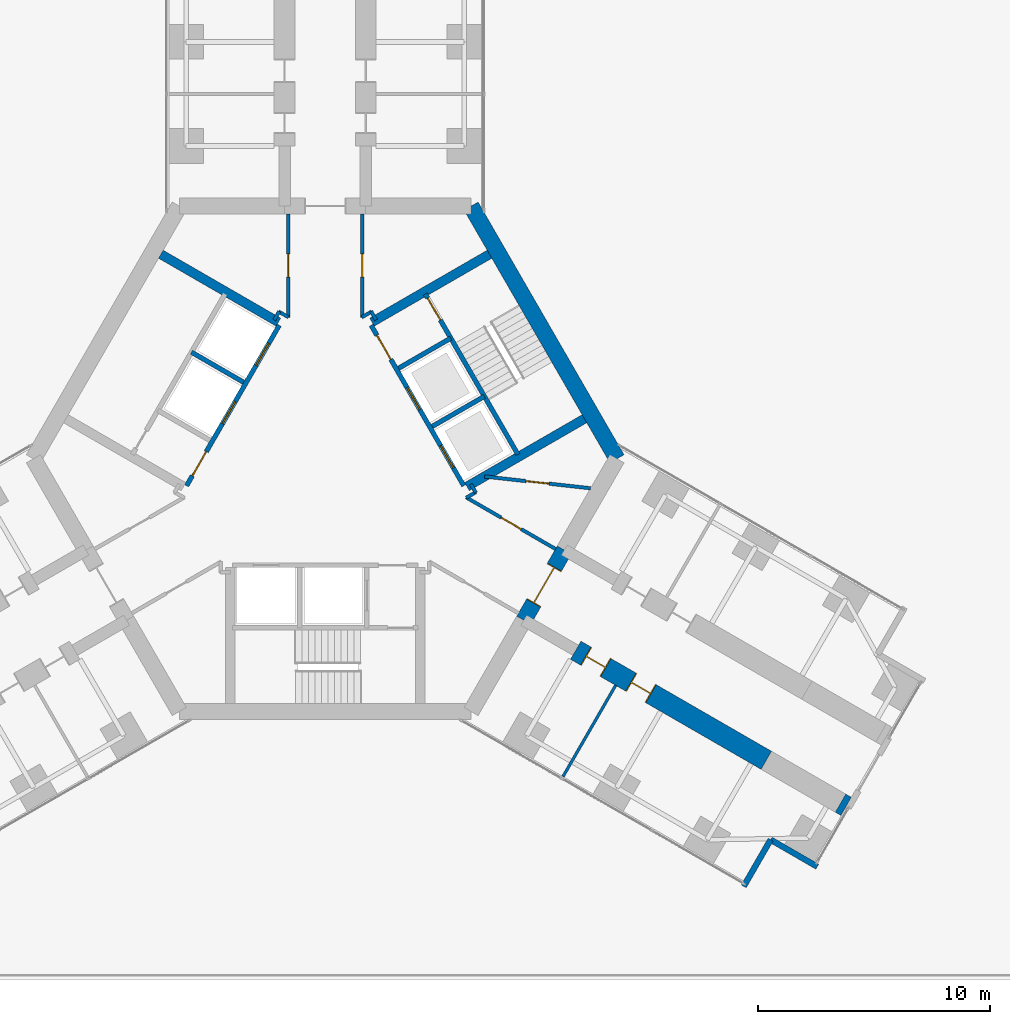
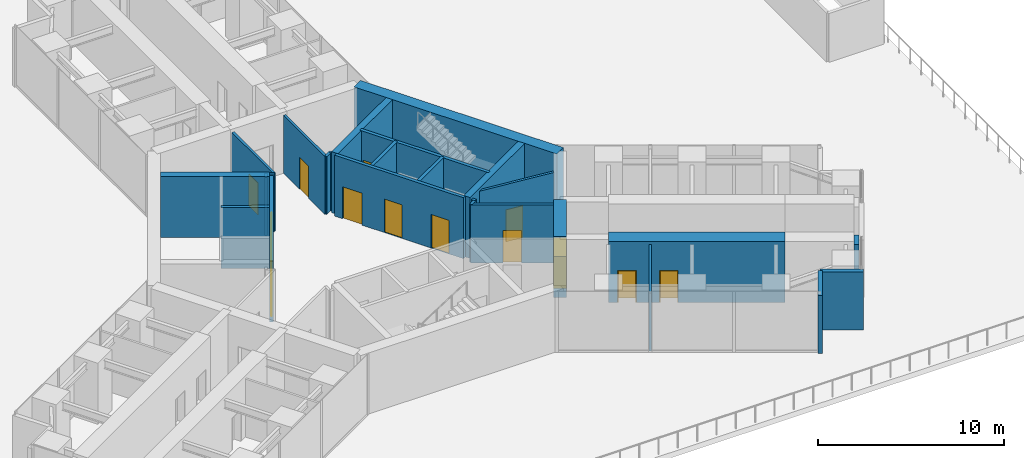
# One storey, part 17 of 23: 26 walls, 14 doors, 14 openings.
"""IFC4 building model written with IfcOpenShell, lengths in metres."""

from ifc_helpers import new_model, si_unit, direction, frame, frame_2d, origin, place, context, subcontext, project, spatial, rectangle, extrude, material, layer, layer_set, type_object, element, fill, save


model = new_model("IFC4")

# Units and contexts
model_context = context("Model", 3, precision=1e-05, world=origin(), true_north=direction((0.0, 1.0)))
body_context = subcontext(model_context, "Body", "Model", "MODEL_VIEW")
ifc_project = project(units=[si_unit("LENGTHUNIT", "METRE"), si_unit("AREAUNIT", "SQUARE_METRE"), si_unit("VOLUMEUNIT", "CUBIC_METRE"), si_unit("PLANEANGLEUNIT", "RADIAN"), si_unit("MASSUNIT", "GRAM", prefix="KILO")], contexts=[model_context])

# Site, building, storey
site_placement = place(None, origin())
site = spatial("IfcSite", under=ifc_project, at=site_placement, CompositionType="ELEMENT")
building_placement = place(site_placement, origin())
building = spatial("IfcBuilding", under=site, at=building_placement, Name="Upepo Twin Towers", CompositionType="ELEMENT")
storey_placement = place(building_placement, frame((0.0, 0.0, 20.5)))
storey = spatial("IfcBuildingStorey", under=building, at=storey_placement, Name="L04", CompositionType="ELEMENT", Elevation=20.5)

# Wall
ifc_material_1 = material(Name="Dense concrete blockwork", Category="masonry")
ifc_layer_1 = layer(ifc_material_1, 0.89990234375)
ifc_layer_set_1 = layer_set([ifc_layer_1], Name="Buttress closer 900, blockwork with fire-stopping to the curtain wall")
wall_type_1 = type_object("IfcWallType", Name="Buttress closer 900, blockwork with fire-stopping to the curtain wall", PredefinedType="PARTITIONING", material=ifc_layer_set_1)
wall_1_placement = place(storey_placement, frame((80.747802734375, -32.865478515625, 0.0), z_axis=(0.0, 0.0, 1.0), x_axis=(0.86621513555, -0.499671230855, 0.0)))
element("IfcWall", 1, at=wall_1_placement, inside=storey, type_object=wall_type_1, Name="T2 L04 wing C buttress closer R", PredefinedType="PARTITIONING", context=body_context, shape_type="SweptSolid", body=[
    extrude(rectangle(XDim=0.275146484375, YDim=0.89990234375, at=frame_2d((0.1376953125, 0.0))), origin(), (0.0, 0.0, 1.0), 3.800048828125),
])

# Wall, openings, doors
ifc_material_2 = material(Name="Concrete C60/75", Category="concrete")
ifc_layer_2 = layer(ifc_material_2, 0.89990234375)
ifc_layer_set_2 = layer_set([ifc_layer_2], Name="Concrete C60/75")
wall_type_2 = type_object("IfcWallType", Name="Buttress wall 900 RC", PredefinedType="SHEAR", material=ifc_layer_set_2)
wall_2_placement = place(storey_placement, frame((69.31640625, -26.265625, 0.0), z_axis=(0.0, 0.0, 1.0), x_axis=(0.86602681393, -0.499997557548, 0.0)))
wall_2 = element("IfcWall", 2, at=wall_2_placement, inside=storey, type_object=wall_type_2, Name="T2 wing C buttress wall R part 2", PredefinedType="SHEAR", context=body_context, shape_type="SweptSolid", body=[
    extrude(rectangle(XDim=9.5, YDim=0.89990234375, at=frame_2d((4.75, 0.0))), origin(), (0.0, 0.0, 1.0), 4.0),
])
opening_1_placement = place(wall_2_placement, frame((0.5, 0.0, 0.0)))
opening_1 = element("IfcOpeningElement", 3, at=opening_1_placement, cuts=wall_2, Name="Opening D15", PredefinedType="OPENING", context=body_context, shape_type="SweptSolid", body=[
    extrude(rectangle(XDim=1.0, YDim=2.10009765625, at=frame_2d((0.5, 1.050048828125))), frame((0.0, 0.4599609375, 0.0), z_axis=(0.0, -1.0, 0.0), x_axis=(1.0, 0.0, 0.0)), (0.0, 0.0, 1.0), 0.919921875),
])
opening_2_placement = place(wall_2_placement, frame((2.75, 0.0, 0.0)))
opening_2 = element("IfcOpeningElement", 4, at=opening_2_placement, cuts=wall_2, Name="Opening D15", PredefinedType="OPENING", context=body_context, shape_type="SweptSolid", body=[
    extrude(rectangle(XDim=1.0, YDim=2.10009765625, at=frame_2d((0.5, 1.050048828125))), frame((0.0, 0.4599609375, 0.0), z_axis=(0.0, -1.0, 0.0), x_axis=(1.0, 0.0, 0.0)), (0.0, 0.0, 1.0), 0.919921875),
])
ifc_material_3 = material(Name="Timber doorset", Category="wood")
door_type_1 = type_object("IfcDoorType", Name="Glazed door 1000 FD30", OperationType="SINGLE_SWING_LEFT", PredefinedType="DOOR", material=ifc_material_3)
door_1_placement = place(opening_1_placement, origin())
door_1 = element("IfcDoor", 5, at=door_1_placement, inside=storey, type_object=door_type_1, Name="T2 L04 seminar room door", OperationType="SINGLE_SWING_LEFT", OverallHeight=2.10009765625, OverallWidth=1.0, PredefinedType="DOOR", context=body_context, shape_type="SweptSolid", body=[
    extrude(rectangle(XDim=0.92, YDim=2.06009765625, at=frame_2d((0.5, 1.030029296875))), frame((0.0, 0.02490234375, 0.0), z_axis=(0.0, -1.0, 0.0), x_axis=(1.0, 0.0, 0.0)), (0.0, 0.0, 1.0), 0.050048828125),
    extrude(rectangle(XDim=0.04, YDim=2.10009765625, at=frame_2d((0.02001953125, 1.050048828125))), frame((0.0, 0.44970703125, 0.0), z_axis=(0.0, -1.0, 0.0), x_axis=(1.0, 0.0, 0.0)), (0.0, 0.0, 1.0), 0.8994140625),
    extrude(rectangle(XDim=0.04, YDim=2.10009765625, at=frame_2d((0.97998046875, 1.050048828125))), frame((0.0, 0.44970703125, 0.0), z_axis=(0.0, -1.0, 0.0), x_axis=(1.0, 0.0, 0.0)), (0.0, 0.0, 1.0), 0.8994140625),
    extrude(rectangle(XDim=0.92, YDim=0.04, at=frame_2d((0.5, 2.080078125))), frame((0.0, 0.44970703125, 0.0), z_axis=(0.0, -1.0, 0.0), x_axis=(1.0, 0.0, 0.0)), (0.0, 0.0, 1.0), 0.8994140625),
])
fill(opening_1, door_1)
door_2_placement = place(opening_2_placement, origin())
door_2 = element("IfcDoor", 6, at=door_2_placement, inside=storey, type_object=door_type_1, Name="T2 L04 student sky lounge door", OperationType="SINGLE_SWING_LEFT", OverallHeight=2.10009765625, OverallWidth=1.0, PredefinedType="DOOR", context=body_context, shape_type="SweptSolid", body=[
    extrude(rectangle(XDim=0.92, YDim=2.06009765625, at=frame_2d((0.5, 1.030029296875))), frame((0.0, 0.02490234375, 0.0), z_axis=(0.0, -1.0, 0.0), x_axis=(1.0, 0.0, 0.0)), (0.0, 0.0, 1.0), 0.050048828125),
    extrude(rectangle(XDim=0.04, YDim=2.10009765625, at=frame_2d((0.02001953125, 1.050048828125))), frame((0.0, 0.44970703125, 0.0), z_axis=(0.0, -1.0, 0.0), x_axis=(1.0, 0.0, 0.0)), (0.0, 0.0, 1.0), 0.8994140625),
    extrude(rectangle(XDim=0.04, YDim=2.10009765625, at=frame_2d((0.97998046875, 1.050048828125))), frame((0.0, 0.44970703125, 0.0), z_axis=(0.0, -1.0, 0.0), x_axis=(1.0, 0.0, 0.0)), (0.0, 0.0, 1.0), 0.8994140625),
    extrude(rectangle(XDim=0.92, YDim=0.04, at=frame_2d((0.5, 2.080078125))), frame((0.0, 0.44970703125, 0.0), z_axis=(0.0, -1.0, 0.0), x_axis=(1.0, 0.0, 0.0)), (0.0, 0.0, 1.0), 0.8994140625),
])
fill(opening_2, door_2)

# Wall, opening, door
ifc_material_4 = material(Name="Concrete C60/75", Category="concrete")
ifc_layer_3 = layer(ifc_material_4, 0.699951171875)
ifc_layer_set_3 = layer_set([ifc_layer_3], Name="Concrete C60/75")
wall_type_3 = type_object("IfcWallType", Name="Core wall 700 RC", PredefinedType="SHEAR", material=ifc_layer_set_3)
wall_3_placement = place(storey_placement, frame((67.07177734375, -24.9697265625, 0.0), z_axis=(0.0, 0.0, 1.0), x_axis=(0.500010275428, 0.866019471182, 0.0)))
wall_3 = element("IfcWall", 7, at=wall_3_placement, inside=storey, type_object=wall_type_3, Name="T2 core wall 240", PredefinedType="SHEAR", context=body_context, shape_type="SweptSolid", body=[
    extrude(rectangle(XDim=3.5, YDim=0.699951171875, at=frame_2d((1.75, 0.0))), origin(), (0.0, 0.0, 1.0), 4.0),
])
opening_3_placement = place(wall_3_placement, frame((0.85009765625, 0.0, 0.0)))
opening_3 = element("IfcOpeningElement", 8, at=opening_3_placement, cuts=wall_3, Name="Opening D2", PredefinedType="OPENING", context=body_context, shape_type="SweptSolid", body=[
    extrude(rectangle(XDim=1.800048828125, YDim=2.10009765625, at=frame_2d((0.89990234375, 1.050048828125))), frame((0.0, 0.35986328125, 0.0), z_axis=(0.0, -1.0, 0.0), x_axis=(1.0, 0.0, 0.0)), (0.0, 0.0, 1.0), 0.719970703125),
])
ifc_material_5 = material(Name="Timber doorset", Category="wood")
door_type_2 = type_object("IfcDoorType", Name="Corridor double door 1800 FD60", OperationType="DOUBLE_DOOR_DOUBLE_SWING", PredefinedType="DOOR", material=ifc_material_5)
door_3_placement = place(opening_3_placement, origin())
door_3 = element("IfcDoor", 9, at=door_3_placement, inside=storey, type_object=door_type_2, Name="T2 L04 wing C corridor door", OperationType="DOUBLE_DOOR_DOUBLE_SWING", OverallHeight=2.10009765625, OverallWidth=1.800048828125, PredefinedType="DOOR", context=body_context, shape_type="SweptSolid", body=[
    extrude(rectangle(XDim=1.720048828125, YDim=2.06009765625, at=frame_2d((0.89990234375, 1.030029296875))), frame((0.0, 0.02490234375, 0.0), z_axis=(0.0, -1.0, 0.0), x_axis=(1.0, 0.0, 0.0)), (0.0, 0.0, 1.0), 0.050048828125),
    extrude(rectangle(XDim=0.04, YDim=2.10009765625, at=frame_2d((0.02001953125, 1.050048828125))), frame((0.0, 0.349609375, 0.0), z_axis=(0.0, -1.0, 0.0), x_axis=(1.0, 0.0, 0.0)), (0.0, 0.0, 1.0), 0.699462890625),
    extrude(rectangle(XDim=0.04, YDim=2.10009765625, at=frame_2d((1.780029296875, 1.050048828125))), frame((0.0, 0.349609375, 0.0), z_axis=(0.0, -1.0, 0.0), x_axis=(1.0, 0.0, 0.0)), (0.0, 0.0, 1.0), 0.699462890625),
    extrude(rectangle(XDim=1.720048828125, YDim=0.04, at=frame_2d((0.89990234375, 2.080078125))), frame((0.0, 0.349609375, 0.0), z_axis=(0.0, -1.0, 0.0), x_axis=(1.0, 0.0, 0.0)), (0.0, 0.0, 1.0), 0.699462890625),
])
fill(opening_3, door_3)

# Walls
wall_4_placement = place(storey_placement, frame((71.095947265625, -18.0, 0.0), z_axis=(0.0, 0.0, 1.0), x_axis=(-0.500005998175, 0.866021940709, 0.0)))
element("IfcWall", 10, at=wall_4_placement, inside=storey, type_object=wall_type_3, Name="T2 core wall 300", PredefinedType="SHEAR", context=body_context, shape_type="SweptSolid", body=[
    extrude(rectangle(XDim=12.595947265625, YDim=0.699951171875, at=frame_2d((6.2978515625, 0.0))), origin(), (0.0, 0.0, 1.0), 4.0),
])
ifc_material_6 = material(Name="Laminated glass in an aluminium frame", Category="aluminium")
ifc_layer_4 = layer(ifc_material_6, 0.1201171875)
ifc_layer_set_4 = layer_set([ifc_layer_4], Name="Glazed partition 120, aluminium framed")
wall_type_4 = type_object("IfcWallType", Name="Glazed partition 120, aluminium framed", PredefinedType="PARTITIONING", material=ifc_layer_set_4)
wall_5_placement = place(storey_placement, frame((71.039794921875, -27.7802734375, 0.0), z_axis=(0.0, 0.0, 1.0), x_axis=(-0.499982560684, -0.866035472144, 0.0)))
element("IfcWall", 11, at=wall_5_placement, inside=storey, type_object=wall_type_4, Name="T2 partition CR at 15.75", PredefinedType="PARTITIONING", context=body_context, shape_type="SweptSolid", body=[
    extrude(rectangle(XDim=4.550048828125, YDim=0.1201171875, at=frame_2d((2.27490234375, 0.0))), origin(), (0.0, 0.0, 1.0), 3.800048828125),
])
ifc_material_7 = material(Name="Blockwork with anodised aluminium cladding", Category="masonry")
ifc_layer_5 = layer(ifc_material_7, 0.25)
ifc_layer_set_5 = layer_set([ifc_layer_5], Name="Notch cladding wall 250, pale metal")
wall_type_5 = type_object("IfcWallType", Name="Notch cladding wall 250, pale metal", PredefinedType="STANDARD", material=ifc_layer_set_5)
for number, where, z_axis, x_axis, name in (
    (12, (76.5673828125, -36.456298828125, 0.0), (0.0, 0.0, 1.0), (0.500046648681, 0.865998469481, 0.0), "T2 L04 wing C notch wall R1"),
    (13, (77.72998046875, -34.44287109375, 0.0), (0.0, 0.0, 1.0), (0.865998469481, -0.500046648681, 0.0), "T2 L04 wing C notch wall R2"),
):
    element("IfcWall", number, at=place(storey_placement, frame(where, z_axis=z_axis, x_axis=x_axis)), inside=storey, type_object=wall_type_5, Name=name, PredefinedType="STANDARD", context=body_context, shape_type="SweptSolid", body=[
        extrude(rectangle(XDim=2.324951171875, YDim=0.25, at=frame_2d((1.16259765625, 0.0))), origin(), (0.0, 0.0, 1.0), 3.800048828125),
    ])

# Wall, openings, doors
ifc_material_8 = material(Name="Concrete C40/50", Category="concrete")
ifc_layer_6 = layer(ifc_material_8, 0.199951171875)
ifc_layer_set_6 = layer_set([ifc_layer_6], Name="Concrete C40/50")
wall_type_6 = type_object("IfcWallType", Name="Shaft wall 200 RC", PredefinedType="SHEAR", material=ifc_layer_set_6)
wall_6_placement = place(storey_placement, frame((56.516357421875, -12.23583984375, 0.0), z_axis=(0.0, 0.0, 1.0), x_axis=(-0.49999894854, -0.866026010844, 0.0)))
wall_6 = element("IfcWall", 14, at=wall_6_placement, inside=storey, type_object=wall_type_6, Name="T2 core W60 front wall", PredefinedType="SHEAR", context=body_context, shape_type="SweptSolid", body=[
    extrude(rectangle(XDim=8.0, YDim=0.199951171875, at=frame_2d((4.0, 0.0))), origin(), (0.0, 0.0, 1.0), 4.0),
])
opening_4_placement = place(wall_6_placement, frame((6.300048828125, 0.0, 0.0)))
opening_4 = element("IfcOpeningElement", 15, at=opening_4_placement, cuts=wall_6, Name="Opening D4", PredefinedType="OPENING", context=body_context, shape_type="SweptSolid", body=[
    extrude(rectangle(XDim=1.199951171875, YDim=2.10009765625, at=frame_2d((0.60009765625, 1.050048828125))), frame((0.0, 0.10986328125, 0.0), z_axis=(0.0, -1.0, 0.0), x_axis=(1.0, 0.0, 0.0)), (0.0, 0.0, 1.0), 0.219970703125),
])
opening_5_placement = place(wall_6_placement, frame((0.89990234375, 0.0, 0.0)))
opening_5 = element("IfcOpeningElement", 16, at=opening_5_placement, cuts=wall_6, Name="Opening LD1", PredefinedType="OPENING", context=body_context, shape_type="SweptSolid", body=[
    extrude(rectangle(XDim=1.10009765625, YDim=2.199951171875, at=frame_2d((0.550048828125, 1.10009765625))), frame((0.0, 0.10986328125, 0.0), z_axis=(0.0, -1.0, 0.0), x_axis=(1.0, 0.0, 0.0)), (0.0, 0.0, 1.0), 0.219970703125),
])
opening_6_placement = place(wall_6_placement, frame((3.800048828125, 0.0, 0.0)))
opening_6 = element("IfcOpeningElement", 17, at=opening_6_placement, cuts=wall_6, Name="Opening LD1", PredefinedType="OPENING", context=body_context, shape_type="SweptSolid", body=[
    extrude(rectangle(XDim=1.10009765625, YDim=2.199951171875, at=frame_2d((0.550048828125, 1.10009765625))), frame((0.0, 0.10986328125, 0.0), z_axis=(0.0, -1.0, 0.0), x_axis=(1.0, 0.0, 0.0)), (0.0, 0.0, 1.0), 0.219970703125),
])
ifc_material_9 = material(Name="Steel doorset", Category="steel")
door_type_3 = type_object("IfcDoorType", Name="Lift landing door 1100", OperationType="DOUBLE_DOOR_SLIDING", PredefinedType="DOOR", material=ifc_material_9)
door_4_placement = place(opening_5_placement, origin())
door_4 = element("IfcDoor", 18, at=door_4_placement, inside=storey, type_object=door_type_3, Name="T2 L04 lift EX1 landing door", OperationType="DOUBLE_DOOR_SLIDING", OverallHeight=2.199951171875, OverallWidth=1.10009765625, PredefinedType="DOOR", context=body_context, shape_type="SweptSolid", body=[
    extrude(rectangle(XDim=1.10009765625, YDim=2.199951171875, at=frame_2d((0.550048828125, 1.10009765625))), frame((0.0, 0.02490234375, 0.0), z_axis=(0.0, -1.0, 0.0), x_axis=(1.0, 0.0, 0.0)), (0.0, 0.0, 1.0), 0.050048828125),
])
fill(opening_5, door_4)
door_5_placement = place(opening_6_placement, origin())
door_5 = element("IfcDoor", 19, at=door_5_placement, inside=storey, type_object=door_type_3, Name="T2 L04 lift EX2 landing door", OperationType="DOUBLE_DOOR_SLIDING", OverallHeight=2.199951171875, OverallWidth=1.10009765625, PredefinedType="DOOR", context=body_context, shape_type="SweptSolid", body=[
    extrude(rectangle(XDim=1.10009765625, YDim=2.199951171875, at=frame_2d((0.550048828125, 1.10009765625))), frame((0.0, 0.02490234375, 0.0), z_axis=(0.0, -1.0, 0.0), x_axis=(1.0, 0.0, 0.0)), (0.0, 0.0, 1.0), 0.050048828125),
])
fill(opening_6, door_5)
ifc_material_10 = material(Name="Timber doorset", Category="wood")
door_type_4 = type_object("IfcDoorType", Name="Lobby door 1200 FD60", OperationType="SINGLE_SWING_LEFT", PredefinedType="DOOR", material=ifc_material_10)
door_6_placement = place(opening_4_placement, origin())
door_6 = element("IfcDoor", 20, at=door_6_placement, inside=storey, type_object=door_type_4, Name="T2 L04 W60 lobby door", OperationType="SINGLE_SWING_RIGHT", OverallHeight=2.10009765625, OverallWidth=1.199951171875, PredefinedType="DOOR", context=body_context, shape_type="SweptSolid", body=[
    extrude(rectangle(XDim=1.199951171875, YDim=2.10009765625, at=frame_2d((0.60009765625, 1.050048828125))), frame((0.0, 0.02490234375, 0.0), z_axis=(0.0, -1.0, 0.0), x_axis=(1.0, 0.0, 0.0)), (0.0, 0.0, 1.0), 0.050048828125),
])
fill(opening_4, door_6)

# Wall
wall_7_placement = place(storey_placement, frame((54.979736328125, -14.697265625, 0.0), z_axis=(0.0, 0.0, 1.0), x_axis=(-0.866062058628, 0.499936506574, 0.0)))
element("IfcWall", 21, at=wall_7_placement, inside=storey, type_object=wall_type_6, Name="T2 core W60 shaft divider", PredefinedType="SHEAR", context=body_context, shape_type="SweptSolid", body=[
    extrude(rectangle(XDim=2.599853515625, YDim=0.199951171875, at=frame_2d((1.2998046875, 0.0))), origin(), (0.0, 0.0, 1.0), 4.0),
])

# Wall, openings, doors
wall_8_placement = place(storey_placement, frame((64.483642578125, -19.1640625, 0.0), z_axis=(0.0, 0.0, 1.0), x_axis=(-0.49999894854, 0.866026010844, 0.0)))
wall_8 = element("IfcWall", 22, at=wall_8_placement, inside=storey, type_object=wall_type_6, Name="T2 core W300 front wall", PredefinedType="SHEAR", context=body_context, shape_type="SweptSolid", body=[
    extrude(rectangle(XDim=8.0, YDim=0.199951171875, at=frame_2d((4.0, 0.0))), origin(), (0.0, 0.0, 1.0), 4.0),
])
opening_7_placement = place(wall_8_placement, frame((6.300048828125, 0.0, 0.0)))
opening_7 = element("IfcOpeningElement", 23, at=opening_7_placement, cuts=wall_8, Name="Opening D4", PredefinedType="OPENING", context=body_context, shape_type="SweptSolid", body=[
    extrude(rectangle(XDim=1.199951171875, YDim=2.10009765625, at=frame_2d((0.60009765625, 1.050048828125))), frame((0.0, 0.10986328125, 0.0), z_axis=(0.0, -1.0, 0.0), x_axis=(1.0, 0.0, 0.0)), (0.0, 0.0, 1.0), 0.219970703125),
])
opening_8_placement = place(wall_8_placement, frame((0.89990234375, 0.0, 0.0)))
opening_8 = element("IfcOpeningElement", 24, at=opening_8_placement, cuts=wall_8, Name="Opening LD1", PredefinedType="OPENING", context=body_context, shape_type="SweptSolid", body=[
    extrude(rectangle(XDim=1.10009765625, YDim=2.199951171875, at=frame_2d((0.550048828125, 1.10009765625))), frame((0.0, 0.10986328125, 0.0), z_axis=(0.0, -1.0, 0.0), x_axis=(1.0, 0.0, 0.0)), (0.0, 0.0, 1.0), 0.219970703125),
])
opening_9_placement = place(wall_8_placement, frame((3.800048828125, 0.0, 0.0)))
opening_9 = element("IfcOpeningElement", 25, at=opening_9_placement, cuts=wall_8, Name="Opening LD1", PredefinedType="OPENING", context=body_context, shape_type="SweptSolid", body=[
    extrude(rectangle(XDim=1.10009765625, YDim=2.199951171875, at=frame_2d((0.550048828125, 1.10009765625))), frame((0.0, 0.10986328125, 0.0), z_axis=(0.0, -1.0, 0.0), x_axis=(1.0, 0.0, 0.0)), (0.0, 0.0, 1.0), 0.219970703125),
])
door_7_placement = place(opening_8_placement, origin())
door_7 = element("IfcDoor", 26, at=door_7_placement, inside=storey, type_object=door_type_3, Name="T2 L04 lift LL1 landing door", OperationType="DOUBLE_DOOR_SLIDING", OverallHeight=2.199951171875, OverallWidth=1.10009765625, PredefinedType="DOOR", context=body_context, shape_type="SweptSolid", body=[
    extrude(rectangle(XDim=1.10009765625, YDim=2.199951171875, at=frame_2d((0.550048828125, 1.10009765625))), frame((0.0, 0.02490234375, 0.0), z_axis=(0.0, -1.0, 0.0), x_axis=(1.0, 0.0, 0.0)), (0.0, 0.0, 1.0), 0.050048828125),
])
fill(opening_8, door_7)
door_8_placement = place(opening_9_placement, origin())
door_8 = element("IfcDoor", 27, at=door_8_placement, inside=storey, type_object=door_type_3, Name="T2 L04 lift LL2 landing door", OperationType="DOUBLE_DOOR_SLIDING", OverallHeight=2.199951171875, OverallWidth=1.10009765625, PredefinedType="DOOR", context=body_context, shape_type="SweptSolid", body=[
    extrude(rectangle(XDim=1.10009765625, YDim=2.199951171875, at=frame_2d((0.550048828125, 1.10009765625))), frame((0.0, 0.02490234375, 0.0), z_axis=(0.0, -1.0, 0.0), x_axis=(1.0, 0.0, 0.0)), (0.0, 0.0, 1.0), 0.050048828125),
])
fill(opening_9, door_8)
door_9_placement = place(opening_7_placement, origin())
door_9 = element("IfcDoor", 28, at=door_9_placement, inside=storey, type_object=door_type_4, Name="T2 L04 W300 lobby door", OperationType="SINGLE_SWING_RIGHT", OverallHeight=2.10009765625, OverallWidth=1.199951171875, PredefinedType="DOOR", context=body_context, shape_type="SweptSolid", body=[
    extrude(rectangle(XDim=1.199951171875, YDim=2.10009765625, at=frame_2d((0.60009765625, 1.050048828125))), frame((0.0, 0.02490234375, 0.0), z_axis=(0.0, -1.0, 0.0), x_axis=(1.0, 0.0, 0.0)), (0.0, 0.0, 1.0), 0.050048828125),
])
fill(opening_7, door_9)

# Walls
wall_9_placement = place(storey_placement, frame((63.120361328125, -16.6025390625, 0.0), z_axis=(0.0, 0.0, 1.0), x_axis=(0.866062058628, 0.499936506574, 0.0)))
element("IfcWall", 29, at=wall_9_placement, inside=storey, type_object=wall_type_6, Name="T2 core W300 shaft divider", PredefinedType="SHEAR", context=body_context, shape_type="SweptSolid", body=[
    extrude(rectangle(XDim=2.599853515625, YDim=0.199951171875, at=frame_2d((1.2998046875, 0.0))), origin(), (0.0, 0.0, 1.0), 4.0),
])
wall_10_placement = place(storey_placement, frame((61.67041015625, -14.091064453125, 0.0), z_axis=(0.0, 0.0, 1.0), x_axis=(0.86603858612, 0.49997716683, 0.0)))
element("IfcWall", 30, at=wall_10_placement, inside=storey, type_object=wall_type_6, Name="T2 core W300 lobby wall", PredefinedType="SHEAR", context=body_context, shape_type="SweptSolid", body=[
    extrude(rectangle(XDim=2.599609375, YDim=0.199951171875, at=frame_2d((1.2998046875, 0.0))), origin(), (0.0, 0.0, 1.0), 4.0),
])

# Wall, opening, door
wall_11_placement = place(storey_placement, frame((66.822021484375, -17.814208984375, 0.0), z_axis=(0.0, 0.0, 1.0), x_axis=(-0.49999894854, 0.866026010844, 0.0)))
wall_11 = element("IfcWall", 31, at=wall_11_placement, inside=storey, type_object=wall_type_6, Name="T2 core W300 stair wall", PredefinedType="SHEAR", context=body_context, shape_type="SweptSolid", body=[
    extrude(rectangle(XDim=8.0, YDim=0.199951171875, at=frame_2d((4.0, 0.0))), origin(), (0.0, 0.0, 1.0), 4.0),
])
opening_10_placement = place(wall_11_placement, frame((6.699951171875, 0.0, 0.0)))
opening_10 = element("IfcOpeningElement", 32, at=opening_10_placement, cuts=wall_11, Name="Opening D3", PredefinedType="OPENING", context=body_context, shape_type="SweptSolid", body=[
    extrude(rectangle(XDim=1.10009765625, YDim=2.10009765625, at=frame_2d((0.550048828125, 1.050048828125))), frame((0.0, 0.10986328125, 0.0), z_axis=(0.0, -1.0, 0.0), x_axis=(1.0, 0.0, 0.0)), (0.0, 0.0, 1.0), 0.219970703125),
])
ifc_material_11 = material(Name="Timber doorset", Category="wood")
door_type_5 = type_object("IfcDoorType", Name="Stair door 1100 FD60", OperationType="SINGLE_SWING_LEFT", PredefinedType="DOOR", material=ifc_material_11)
door_10_placement = place(opening_10_placement, origin())
door_10 = element("IfcDoor", 33, at=door_10_placement, inside=storey, type_object=door_type_5, Name="T2 L04 stair door", OperationType="SINGLE_SWING_RIGHT", OverallHeight=2.10009765625, OverallWidth=1.10009765625, PredefinedType="DOOR", context=body_context, shape_type="SweptSolid", body=[
    extrude(rectangle(XDim=1.10009765625, YDim=2.10009765625, at=frame_2d((0.550048828125, 1.050048828125))), frame((0.0, 0.02490234375, 0.0), z_axis=(0.0, -1.0, 0.0), x_axis=(1.0, 0.0, 0.0)), (0.0, 0.0, 1.0), 0.050048828125),
])
fill(opening_10, door_10)

# Walls
ifc_material_12 = material(Name="Concrete C40/50", Category="concrete")
ifc_layer_7 = layer(ifc_material_12, 0.39990234375)
ifc_layer_set_7 = layer_set([ifc_layer_7], Name="Concrete C40/50")
wall_type_7 = type_object("IfcWallType", Name="Shaft wall 400 RC", PredefinedType="SHEAR", material=ifc_layer_set_7)
for number, where, z_axis, x_axis, name in (
    (34, (56.479736328125, -12.099365234375, 0.0), (0.0, 0.0, 1.0), (-0.866023886965, 0.500002627198, 0.0), "T2 core W60 side wall S"),
    (35, (60.520263671875, -12.099365234375, 0.0), (0.0, 0.0, 1.0), (0.866023886965, 0.500002627198, 0.0), "T2 core W300 side wall N"),
    (36, (64.620361328125, -19.20068359375, 0.0), (0.0, 0.0, 1.0), (0.866023886965, 0.500002627198, 0.0), "T2 core W300 side wall S"),
):
    element("IfcWall", number, at=place(storey_placement, frame(where, z_axis=z_axis, x_axis=x_axis)), inside=storey, type_object=wall_type_7, Name=name, PredefinedType="SHEAR", context=body_context, shape_type="SweptSolid", body=[
        extrude(rectangle(XDim=5.8583984375, YDim=0.39990234375, at=frame_2d((2.92919921875, 0.0))), origin(), (0.0, 0.0, 1.0), 4.0),
    ])
ifc_material_13 = material(Name="Gypsum board on steel studs", Category="steel")
ifc_layer_8 = layer(ifc_material_13, 0.14990234375)
ifc_layer_set_8 = layer_set([ifc_layer_8], Name="Teaching partition 150 acoustic")
wall_type_8 = type_object("IfcWallType", Name="Teaching partition 150 acoustic", PredefinedType="PARTITIONING", material=ifc_layer_set_8)
wall_12_placement = place(storey_placement, frame((56.301513671875, -12.0078125, 0.0), z_axis=(0.0, 0.0, 1.0), x_axis=(0.500230298122, 0.865892400268, 0.0)))
element("IfcWall", 37, at=wall_12_placement, inside=storey, type_object=wall_type_8, Name="T2 core room partition 6", PredefinedType="PARTITIONING", context=body_context, shape_type="SweptSolid", body=[
    extrude(rectangle(XDim=0.429931640625, YDim=0.14990234375, at=frame_2d((0.21484375, 0.0))), origin(), (0.0, 0.0, 1.0), 3.800048828125),
])
wall_13_placement = place(storey_placement, frame((56.4892578125, -11.642822265625, 0.0), z_axis=(0.0, 0.0, 1.0), x_axis=(0.865831790172, -0.50033519877, 0.0)))
element("IfcWall", 38, at=wall_13_placement, inside=storey, type_object=wall_type_8, Name="T2 core room partition 7", PredefinedType="PARTITIONING", context=body_context, shape_type="SweptSolid", body=[
    extrude(rectangle(XDim=0.494384765625, YDim=0.14990234375, at=frame_2d((0.2470703125, 0.0))), origin(), (0.0, 0.0, 1.0), 3.800048828125),
])

# Wall, opening, door
wall_14_placement = place(storey_placement, frame((56.89990234375, -11.900146484375, 0.0), z_axis=(0.0, 0.0, 1.0), x_axis=(0.0, 1.0, 0.0)))
wall_14 = element("IfcWall", 39, at=wall_14_placement, inside=storey, type_object=wall_type_8, Name="T2 core room partition 8", PredefinedType="PARTITIONING", context=body_context, shape_type="SweptSolid", body=[
    extrude(rectangle(XDim=4.468505859375, YDim=0.14990234375, at=frame_2d((2.234375, 0.0))), origin(), (0.0, 0.0, 1.0), 3.800048828125),
])
opening_11_placement = place(wall_14_placement, frame((1.744384765625, 0.0, 0.0)))
opening_11 = element("IfcOpeningElement", 40, at=opening_11_placement, cuts=wall_14, Name="Opening D1", PredefinedType="OPENING", context=body_context, shape_type="SweptSolid", body=[
    extrude(rectangle(XDim=1.0, YDim=2.10009765625, at=frame_2d((0.5, 1.050048828125))), frame((0.0, 0.0849609375, 0.0), z_axis=(0.0, -1.0, 0.0), x_axis=(1.0, 0.0, 0.0)), (0.0, 0.0, 1.0), 0.169921875),
])
ifc_material_14 = material(Name="Timber doorset", Category="wood")
door_type_6 = type_object("IfcDoorType", Name="Room door 1000 FD30", OperationType="SINGLE_SWING_LEFT", PredefinedType="DOOR", material=ifc_material_14)
door_11_placement = place(opening_11_placement, origin())
door_11 = element("IfcDoor", 41, at=door_11_placement, inside=storey, type_object=door_type_6, Name="T2 L04 core room door K7", OperationType="SINGLE_SWING_RIGHT", OverallHeight=2.10009765625, OverallWidth=1.0, PredefinedType="DOOR", context=body_context, shape_type="SweptSolid", body=[
    extrude(rectangle(XDim=1.0, YDim=2.10009765625, at=frame_2d((0.5, 1.050048828125))), frame((0.0, 0.02490234375, 0.0), z_axis=(0.0, -1.0, 0.0), x_axis=(1.0, 0.0, 0.0)), (0.0, 0.0, 1.0), 0.050048828125),
])
fill(opening_11, door_11)

wall_15_placement = place(storey_placement, frame((60.10009765625, -7.431640625, 0.0), z_axis=(0.0, 0.0, 1.0), x_axis=(0.0, -1.0, 0.0)))
wall_15 = element("IfcWall", 42, at=wall_15_placement, inside=storey, type_object=wall_type_8, Name="T2 core room partition 9", PredefinedType="PARTITIONING", context=body_context, shape_type="SweptSolid", body=[
    extrude(rectangle(XDim=4.468505859375, YDim=0.14990234375, at=frame_2d((2.234375, 0.0))), origin(), (0.0, 0.0, 1.0), 3.800048828125),
])
opening_12_placement = place(wall_15_placement, frame((1.72412109375, 0.0, 0.0)))
opening_12 = element("IfcOpeningElement", 43, at=opening_12_placement, cuts=wall_15, Name="Opening D1", PredefinedType="OPENING", context=body_context, shape_type="SweptSolid", body=[
    extrude(rectangle(XDim=1.0, YDim=2.10009765625, at=frame_2d((0.5, 1.050048828125))), frame((0.0, 0.0849609375, 0.0), z_axis=(0.0, -1.0, 0.0), x_axis=(1.0, 0.0, 0.0)), (0.0, 0.0, 1.0), 0.169921875),
])
door_12_placement = place(opening_12_placement, origin())
door_12 = element("IfcDoor", 44, at=door_12_placement, inside=storey, type_object=door_type_6, Name="T2 L04 core room door K6", OperationType="SINGLE_SWING_LEFT", OverallHeight=2.10009765625, OverallWidth=1.0, PredefinedType="DOOR", context=body_context, shape_type="SweptSolid", body=[
    extrude(rectangle(XDim=1.0, YDim=2.10009765625, at=frame_2d((0.5, 1.050048828125))), frame((0.0, 0.02490234375, 0.0), z_axis=(0.0, -1.0, 0.0), x_axis=(1.0, 0.0, 0.0)), (0.0, 0.0, 1.0), 0.050048828125),
])
fill(opening_12, door_12)

# Walls
wall_16_placement = place(storey_placement, frame((60.082763671875, -11.89013671875, 0.0), z_axis=(0.0, 0.0, 1.0), x_axis=(0.865831790172, 0.50033519877, 0.0)))
element("IfcWall", 45, at=wall_16_placement, inside=storey, type_object=wall_type_8, Name="T2 core room partition 10", PredefinedType="PARTITIONING", context=body_context, shape_type="SweptSolid", body=[
    extrude(rectangle(XDim=0.494384765625, YDim=0.14990234375, at=frame_2d((0.2470703125, 0.0))), origin(), (0.0, 0.0, 1.0), 3.800048828125),
])
for number, where, z_axis, x_axis, name in (
    (46, (60.4833984375, -11.635498046875, 0.0), (0.0, 0.0, 1.0), (0.500230298122, -0.865892400268, 0.0), "T2 core room partition 11"),
    (47, (64.78857421875, -19.092041015625, 0.0), (0.0, 0.0, 1.0), (0.499804398801, -0.866138304741, 0.0), "T2 core room partition 12"),
):
    element("IfcWall", number, at=place(storey_placement, frame(where, z_axis=z_axis, x_axis=x_axis)), inside=storey, type_object=wall_type_8, Name=name, PredefinedType="PARTITIONING", context=body_context, shape_type="SweptSolid", body=[
        extrude(rectangle(XDim=0.429931640625, YDim=0.14990234375, at=frame_2d((0.21484375, 0.0))), origin(), (0.0, 0.0, 1.0), 3.800048828125),
    ])
wall_17_placement = place(storey_placement, frame((65.0107421875, -19.43701171875, 0.0), z_axis=(0.0, 0.0, 1.0), x_axis=(-0.865831790172, -0.50033519877, 0.0)))
element("IfcWall", 48, at=wall_17_placement, inside=storey, type_object=wall_type_8, Name="T2 core room partition 13", PredefinedType="PARTITIONING", context=body_context, shape_type="SweptSolid", body=[
    extrude(rectangle(XDim=0.494384765625, YDim=0.14990234375, at=frame_2d((0.2470703125, 0.0))), origin(), (0.0, 0.0, 1.0), 3.800048828125),
])

# Wall, opening, door
wall_18_placement = place(storey_placement, frame((64.582763671875, -19.664306640625, 0.0), z_axis=(0.0, 0.0, 1.0), x_axis=(0.866025445582, -0.499999927604, 0.0)))
wall_18 = element("IfcWall", 49, at=wall_18_placement, inside=storey, type_object=wall_type_8, Name="T2 core room partition 14", PredefinedType="PARTITIONING", context=body_context, shape_type="SweptSolid", body=[
    extrude(rectangle(XDim=4.46826171875, YDim=0.14990234375, at=frame_2d((2.234130859375, 0.0))), origin(), (0.0, 0.0, 1.0), 3.800048828125),
])
opening_13_placement = place(wall_18_placement, frame((1.744384765625, 0.0, 0.0)))
opening_13 = element("IfcOpeningElement", 50, at=opening_13_placement, cuts=wall_18, Name="Opening D1", PredefinedType="OPENING", context=body_context, shape_type="SweptSolid", body=[
    extrude(rectangle(XDim=1.0, YDim=2.10009765625, at=frame_2d((0.5, 1.050048828125))), frame((0.0, 0.0849609375, 0.0), z_axis=(0.0, -1.0, 0.0), x_axis=(1.0, 0.0, 0.0)), (0.0, 0.0, 1.0), 0.169921875),
])
door_13_placement = place(opening_13_placement, origin())
door_13 = element("IfcDoor", 51, at=door_13_placement, inside=storey, type_object=door_type_6, Name="T2 L04 core room door K4", OperationType="SINGLE_SWING_RIGHT", OverallHeight=2.10009765625, OverallWidth=1.0, PredefinedType="DOOR", context=body_context, shape_type="SweptSolid", body=[
    extrude(rectangle(XDim=1.0, YDim=2.10009765625, at=frame_2d((0.5, 1.050048828125))), frame((0.0, 0.02490234375, 0.0), z_axis=(0.0, -1.0, 0.0), x_axis=(1.0, 0.0, 0.0)), (0.0, 0.0, 1.0), 0.050048828125),
])
fill(opening_13, door_13)

wall_19_placement = place(storey_placement, frame((65.376953125, -18.763916015625, 0.0), z_axis=(0.0, 0.0, 1.0), x_axis=(0.993886318744, -0.110408266965, 0.0)))
wall_19 = element("IfcWall", 52, at=wall_19_placement, inside=storey, type_object=wall_type_8, Name="T2 core room partition 19", PredefinedType="PARTITIONING", context=body_context, shape_type="SweptSolid", body=[
    extrude(rectangle(XDim=4.608154296875, YDim=0.14990234375, at=frame_2d((2.30419921875, 0.0))), origin(), (0.0, 0.0, 1.0), 3.800048828125),
])
opening_14_placement = place(wall_19_placement, frame((1.80419921875, 0.0, 0.0)))
opening_14 = element("IfcOpeningElement", 53, at=opening_14_placement, cuts=wall_19, Name="Opening D1", PredefinedType="OPENING", context=body_context, shape_type="SweptSolid", body=[
    extrude(rectangle(XDim=1.0, YDim=2.10009765625, at=frame_2d((0.5, 1.050048828125))), frame((0.0, 0.0849609375, 0.0), z_axis=(0.0, -1.0, 0.0), x_axis=(1.0, 0.0, 0.0)), (0.0, 0.0, 1.0), 0.169921875),
])
door_14_placement = place(opening_14_placement, origin())
door_14 = element("IfcDoor", 54, at=door_14_placement, inside=storey, type_object=door_type_6, Name="T2 L04 core room door K5", OperationType="SINGLE_SWING_LEFT", OverallHeight=2.10009765625, OverallWidth=1.0, PredefinedType="DOOR", context=body_context, shape_type="SweptSolid", body=[
    extrude(rectangle(XDim=1.0, YDim=2.10009765625, at=frame_2d((0.5, 1.050048828125))), frame((0.0, 0.02490234375, 0.0), z_axis=(0.0, -1.0, 0.0), x_axis=(1.0, 0.0, 0.0)), (0.0, 0.0, 1.0), 0.050048828125),
])
fill(opening_14, door_14)

save(model, "model.ifc")
